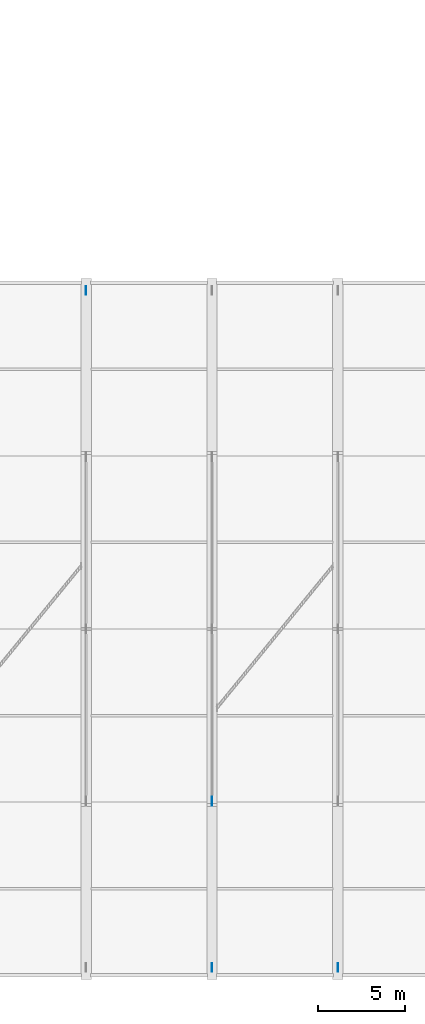
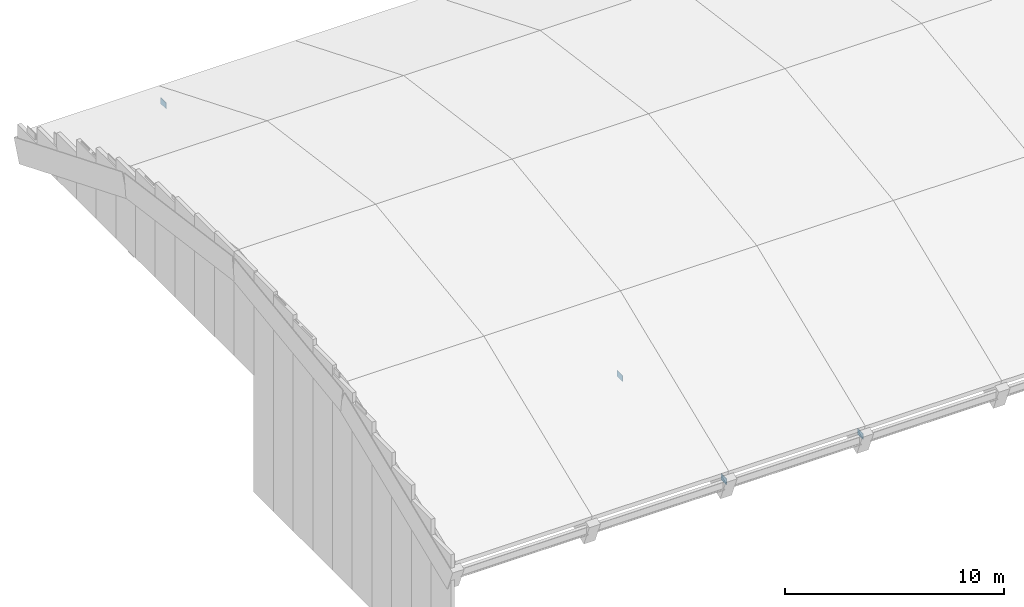
# One storey, part 15 of 22: 4 plates.
"""IFC4 building model written with IfcOpenShell, lengths in metres."""

from ifc_helpers import new_model, si_unit, direction, frame, origin, origin_2d, place, context, subcontext, project, spatial, rectangle, extrude, material, layer, layer_set, type_object, element, save


model = new_model("IFC4")

# Units and contexts
model_context = context("Model", 3, precision=1e-05, world=origin(), true_north=direction((0.0, 1.0)))
body_context = subcontext(model_context, "Body", "Model", "MODEL_VIEW")
ifc_project = project(units=[si_unit("LENGTHUNIT", "METRE"), si_unit("AREAUNIT", "SQUARE_METRE"), si_unit("VOLUMEUNIT", "CUBIC_METRE"), si_unit("PLANEANGLEUNIT", "RADIAN"), si_unit("MASSUNIT", "GRAM", prefix="KILO")], contexts=[model_context])

# Site, building, storey
site_placement = place(None, origin())
site = spatial("IfcSite", under=ifc_project, at=site_placement, CompositionType="ELEMENT")
building_placement = place(site_placement, origin())
building = spatial("IfcBuilding", under=site, at=building_placement, Name="Lusvemor Sports Hall", CompositionType="ELEMENT")
storey_placement = place(building_placement, frame((0.0, 0.0, 23.39990234375)))
storey = spatial("IfcBuildingStorey", under=building, at=storey_placement, Name="Roof", CompositionType="ELEMENT", Elevation=23.39990234375)

# Plates
ifc_material = material(Name="Steel S355", Category="steel")
ifc_layer = layer(ifc_material, 0.030029296875)
ifc_layer_set = layer_set([ifc_layer], Name="Steel S355")
plate_type = type_object("IfcPlateType", Name="GUSSET_ARCH_B", PredefinedType="USERDEFINED", material=ifc_layer_set)
for number, where, z_axis, x_axis, name in (
    (1, (126.0, 39.159912109375, -2.474853515625), (0.0, 0.0, 1.0), (1.0, 0.0, 0.0), "East Arch Springing Gusset 14-N"),
    (2, (133.199951171875, 0.43994140625, -2.474853515625), (0.0, 0.0, 1.0), (1.0, 0.0, 0.0), "East Arch Springing Gusset 15-S"),
    (3, (133.199951171875, 9.949951171875, -2.474853515625), (0.0, 0.0, 1.0), (1.0, 0.0, 0.0), "East Arch Web Gusset 15-LF"),
    (4, (140.39990234375, 0.43994140625, -2.474853515625), (0.0, 0.0, 1.0), (1.0, 0.0, 0.0), "East Arch Springing Gusset 16-S"),
):
    element("IfcPlate", number, at=place(storey_placement, frame(where, z_axis=z_axis, x_axis=x_axis)), inside=storey, type_object=plate_type, Name=name, ObjectType="GUSSET_PLATE", PredefinedType="USERDEFINED", context=body_context, shape_type="SweptSolid", body=[
        extrude(rectangle(XDim=0.030029296875, YDim=0.5, at=origin_2d()), origin(), (0.0, 0.0, 1.0), 0.330078125),
    ])

save(model, "model.ifc")
